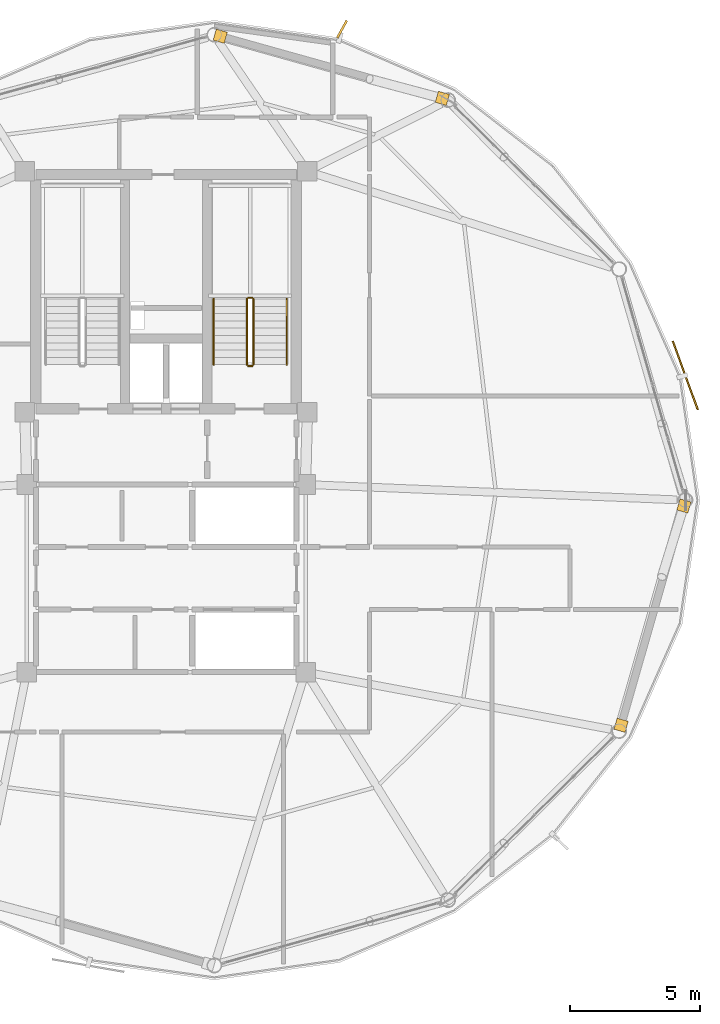
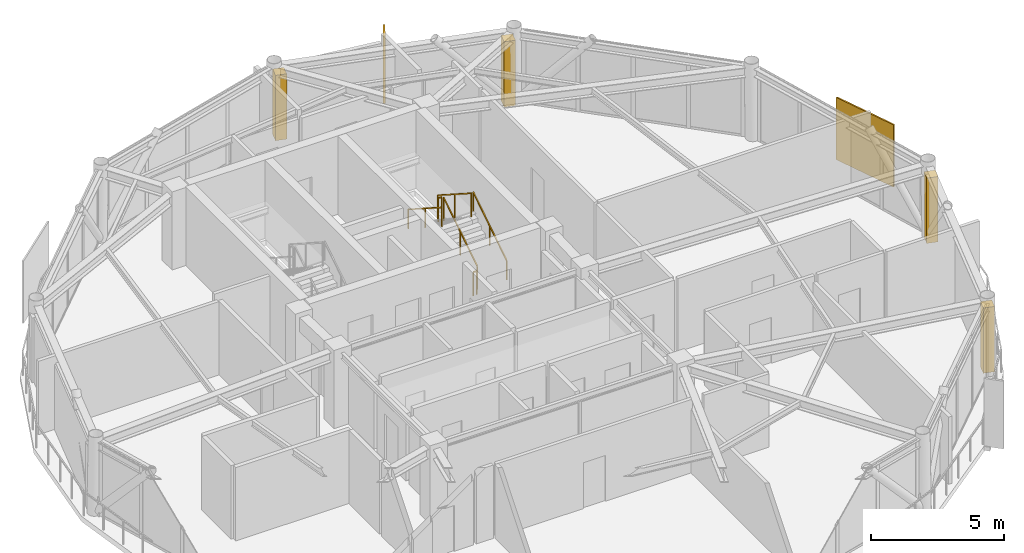
# One storey, part 26 of 26: 6 railings, 4 coverings, 2 shading devices.
"""IFC4 building model written with IfcOpenShell, lengths in metres."""

from ifc_helpers import new_model, si_unit, direction, frame, origin, origin_2d, place, context, subcontext, project, spatial, rectangle, extrude, source, transform, mapped, material, layer, layer_set, type_object, type_shapes, element, save


model = new_model("IFC4")

# Units and contexts
model_context = context("Model", 3, precision=1e-05, world=origin(), true_north=direction((0.0, 1.0)))
body_context = subcontext(model_context, "Body", "Model", "MODEL_VIEW")
ifc_project = project(units=[si_unit("LENGTHUNIT", "METRE"), si_unit("AREAUNIT", "SQUARE_METRE"), si_unit("VOLUMEUNIT", "CUBIC_METRE"), si_unit("PLANEANGLEUNIT", "RADIAN"), si_unit("MASSUNIT", "GRAM", prefix="KILO")], contexts=[model_context])

# Site, building, storey
site_placement = place(None, origin())
site = spatial("IfcSite", under=ifc_project, at=site_placement, CompositionType="ELEMENT")
building_placement = place(site_placement, origin())
building = spatial("IfcBuilding", under=site, at=building_placement, Name="Varnakorn Sky Granary", CompositionType="ELEMENT")
storey_placement = place(building_placement, frame((0.0, 0.0, 270.60009765625)))
storey = spatial("IfcBuildingStorey", under=building, at=storey_placement, Name="L69", CompositionType="ELEMENT", Elevation=270.60009765625)

# Railings
ifc_material_1 = material(Name="Brushed Stainless Steel 316", Category="steel")
railing_type_1 = type_object("IfcRailingType", Name="RL-STAIR-1100", PredefinedType="GUARDRAIL", material=ifc_material_1)
railing_1_placement = place(storey_placement, frame((6.35009765625, 5.199951171875, 0.179931640625)))
element("IfcRailing", 1, at=railing_1_placement, inside=storey, type_object=railing_type_1, Name="L69 ST-2 stair guard 1", PredefinedType="GUARDRAIL", context=body_context, shape_type="SweptSolid", body=[
    extrude(rectangle(XDim=0.048095703125, YDim=0.048095703125, at=origin_2d()), frame((0.0, 0.0, 1.076171875), z_axis=(0.0, 0.841199657755, 0.540724639528), x_axis=(-1.0, 0.0, 0.0)), (0.0, 0.0, 1.0), 2.995849609375),
    extrude(rectangle(XDim=0.0419921875, YDim=0.0419921875, at=origin_2d()), origin(), (0.0, 0.0, 1.0), 1.048095703125),
    extrude(rectangle(XDim=0.0419921875, YDim=0.0419921875, at=origin_2d()), frame((0.0, 1.260009765625, 0.81005859375)), (0.0, 0.0, 1.0), 1.048095703125),
    extrude(rectangle(XDim=0.0419921875, YDim=0.0419921875, at=origin_2d()), frame((0.0, 2.52001953125, 1.619873046875)), (0.0, 0.0, 1.0), 1.048095703125),
])
railing_2_placement = place(storey_placement, frame((6.300048828125, 7.77001953125, 1.7998046875)))
element("IfcRailing", 2, at=railing_2_placement, inside=storey, type_object=railing_type_1, Name="L69 ST-2 stair guard 2", PredefinedType="GUARDRAIL", context=body_context, shape_type="SweptSolid", body=[
    extrude(rectangle(XDim=0.048095703125, YDim=0.048095703125, at=origin_2d()), frame((0.0, 0.0, 1.076171875), z_axis=(-1.0, 0.0, 0.0), x_axis=(0.0, -1.0, 0.0)), (0.0, 0.0, 1.0), 0.150146484375),
    extrude(rectangle(XDim=0.0419921875, YDim=0.0419921875, at=origin_2d()), origin(), (0.0, 0.0, 1.0), 1.048095703125),
    extrude(rectangle(XDim=0.0419921875, YDim=0.0419921875, at=origin_2d()), frame((-0.150146484375, 0.0, 0.0)), (0.0, 0.0, 1.0), 1.048095703125),
])
railing_3_placement = place(storey_placement, frame((6.10009765625, 7.719970703125, 1.97998046875)))
element("IfcRailing", 3, at=railing_3_placement, inside=storey, type_object=railing_type_1, Name="L69 ST-2 stair guard 3", PredefinedType="GUARDRAIL", context=body_context, shape_type="SweptSolid", body=[
    extrude(rectangle(XDim=0.048095703125, YDim=0.048095703125, at=origin_2d()), frame((0.0, 0.0, 1.076171875), z_axis=(0.0, -0.841199657755, 0.540724639528), x_axis=(1.0, 0.0, 0.0)), (0.0, 0.0, 1.0), 2.995849609375),
    extrude(rectangle(XDim=0.0419921875, YDim=0.0419921875, at=origin_2d()), origin(), (0.0, 0.0, 1.0), 1.048095703125),
    extrude(rectangle(XDim=0.0419921875, YDim=0.0419921875, at=origin_2d()), frame((0.0, -1.260009765625, 0.81005859375)), (0.0, 0.0, 1.0), 1.048095703125),
    extrude(rectangle(XDim=0.0419921875, YDim=0.0419921875, at=origin_2d()), frame((0.0, -2.52001953125, 1.619873046875)), (0.0, 0.0, 1.0), 1.048095703125),
])
railing_4_placement = place(storey_placement, frame((6.300048828125, 5.14990234375, 0.0)))
element("IfcRailing", 4, at=railing_4_placement, inside=storey, type_object=railing_type_1, Name="L69 ST-2 stair guard 4", PredefinedType="GUARDRAIL", context=body_context, shape_type="SweptSolid", body=[
    extrude(rectangle(XDim=0.048095703125, YDim=0.048095703125, at=origin_2d()), frame((0.0, 0.0, 1.076171875), z_axis=(-1.0, 0.0, 0.0), x_axis=(0.0, -1.0, 0.0)), (0.0, 0.0, 1.0), 0.150146484375),
    extrude(rectangle(XDim=0.0419921875, YDim=0.0419921875, at=origin_2d()), origin(), (0.0, 0.0, 1.0), 1.048095703125),
    extrude(rectangle(XDim=0.0419921875, YDim=0.0419921875, at=origin_2d()), frame((-0.150146484375, 0.0, 0.0)), (0.0, 0.0, 1.0), 1.048095703125),
])
railing_type_2 = type_object("IfcRailingType", Name="RL-STAIR-920", PredefinedType="HANDRAIL", material=ifc_material_1)
railing_5_placement = place(storey_placement, frame((7.6298828125, 5.199951171875, 0.179931640625)))
element("IfcRailing", 5, at=railing_5_placement, inside=storey, type_object=railing_type_2, Name="L69 ST-2 stair handrail 1", PredefinedType="HANDRAIL", context=body_context, shape_type="SweptSolid", body=[
    extrude(rectangle(XDim=0.048095703125, YDim=0.048095703125, at=origin_2d()), frame((0.0, 0.0, 0.8759765625), z_axis=(0.0, 0.841199657755, 0.540724639528), x_axis=(-1.0, 0.0, 0.0)), (0.0, 0.0, 1.0), 2.995849609375),
    extrude(rectangle(XDim=0.0419921875, YDim=0.0419921875, at=origin_2d()), origin(), (0.0, 0.0, 1.0), 0.847900390625),
    extrude(rectangle(XDim=0.0419921875, YDim=0.0419921875, at=origin_2d()), frame((0.0, 1.260009765625, 0.81005859375)), (0.0, 0.0, 1.0), 0.847900390625),
    extrude(rectangle(XDim=0.0419921875, YDim=0.0419921875, at=origin_2d()), frame((0.0, 2.52001953125, 1.619873046875)), (0.0, 0.0, 1.0), 0.847900390625),
])
railing_6_placement = place(storey_placement, frame((4.820068359375, 7.719970703125, 1.97998046875)))
element("IfcRailing", 6, at=railing_6_placement, inside=storey, type_object=railing_type_2, Name="L69 ST-2 stair handrail 2", PredefinedType="HANDRAIL", context=body_context, shape_type="SweptSolid", body=[
    extrude(rectangle(XDim=0.048095703125, YDim=0.048095703125, at=origin_2d()), frame((0.0, 0.0, 0.8759765625), z_axis=(0.0, -0.841199657755, 0.540724639528), x_axis=(1.0, 0.0, 0.0)), (0.0, 0.0, 1.0), 2.995849609375),
    extrude(rectangle(XDim=0.0419921875, YDim=0.0419921875, at=origin_2d()), origin(), (0.0, 0.0, 1.0), 0.847900390625),
    extrude(rectangle(XDim=0.0419921875, YDim=0.0419921875, at=origin_2d()), frame((0.0, -1.260009765625, 0.81005859375)), (0.0, 0.0, 1.0), 0.847900390625),
    extrude(rectangle(XDim=0.0419921875, YDim=0.0419921875, at=origin_2d()), frame((0.0, -2.52001953125, 1.619873046875)), (0.0, 0.0, 1.0), 0.847900390625),
])

# Coverings
ifc_material_2 = material(Name="Anodised Bronze Aluminium Alloy 6063-T6", Category="aluminium")
ifc_layer = layer(ifc_material_2, 0.050048828125, Name="Anodised Bronze Aluminium Alloy 6063-T6")
ifc_layer_set = layer_set([ifc_layer], Name="Anodised Bronze Aluminium Alloy 6063-T6")
covering_type = type_object("IfcCoveringType", Name="CV-CLAD-50", PredefinedType="CLADDING", material=ifc_layer_set)
shared_shape_1 = source(origin(), body_context, "Body", "SweptSolid", [
    extrude(rectangle(XDim=0.43994140625, YDim=0.43994140625, at=origin_2d()), origin(), (0.0, 0.0, 1.0), 2.989990234375),
])
type_shapes(covering_type, [shared_shape_1])
for number, where, z_axis, x_axis, name in (
    (7, (5.07568359375, 17.805908203125, -0.02001953125), (0.0, 0.0, 1.0), (0.963021628687, -0.26942409447, 0.0), "Bronze Corner Pilaster Closure L69-P03-A"),
    (8, (13.601318359375, 15.42138671875, -0.02001953125), (0.0, 0.0, 1.0), (0.963021628687, -0.26942409447, 0.0), "Bronze Corner Pilaster Closure L69-P03-B"),
    (9, (22.87451171875, -0.225341796875, -0.02001953125), (0.0, 0.0, 1.0), (-0.275469579804, -0.961309789091, 0.0), "Bronze Corner Pilaster Closure L69-P12-A"),
    (10, (20.463134765625, -8.6416015625, -0.02001953125), (0.0, 0.0, 1.0), (-0.275469579804, -0.961309789091, 0.0), "Bronze Corner Pilaster Closure L69-P12-B"),
):
    element("IfcCovering", number, at=place(storey_placement, frame(where, z_axis=z_axis, x_axis=x_axis)), inside=storey, type_object=covering_type, Name=name, PredefinedType="CLADDING", context=body_context, shape_type="MappedRepresentation", body=[
        mapped(shared_shape_1, transform((0.0, 0.0, 0.0), x_axis=(1.0, 0.0, 0.0), y_axis=(0.0, 1.0, 0.0), z_axis=(0.0, 0.0, 1.0), scale=1.0)),
    ])

# Shading devices
shading_device_type_1 = type_object("IfcShadingDeviceType", Name="SH-FIN-03", PredefinedType="USERDEFINED", material=ifc_material_2)
shared_shape_2 = source(origin(), body_context, "Body", "SweptSolid", [
    extrude(rectangle(XDim=0.0849609375, YDim=0.760009765625, at=origin_2d()), origin(), (0.0, 0.0, 1.0), 3.10009765625),
])
type_shapes(shading_device_type_1, [shared_shape_2])
shading_device_1_placement = place(storey_placement, frame((9.751708984375, 18.075927734375, -0.0400390625), z_axis=(0.0, 0.0, 1.0), x_axis=(-0.874785193712, 0.484510954327, 0.0)))
element("IfcShadingDevice", 11, at=shading_device_1_placement, inside=storey, type_object=shading_device_type_1, Name="Bronze Solar-Tracking Vertical Blade FIN L69-03", ObjectType="FIN", PredefinedType="USERDEFINED", context=body_context, shape_type="MappedRepresentation", body=[
    mapped(shared_shape_2, transform((0.0, 0.0, 0.0), x_axis=(1.0, 0.0, 0.0), y_axis=(0.0, 1.0, 0.0), z_axis=(0.0, 0.0, 1.0), scale=1.0)),
])
shading_device_type_2 = type_object("IfcShadingDeviceType", Name="SH-SCR-03", PredefinedType="USERDEFINED", material=ifc_material_2)
shared_shape_3 = source(origin(), body_context, "Body", "SweptSolid", [
    extrude(rectangle(XDim=2.800048828125, YDim=0.06494140625, at=origin_2d()), origin(), (0.0, 0.0, 1.0), 2.85009765625),
])
type_shapes(shading_device_type_2, [shared_shape_3])
shading_device_2_placement = place(storey_placement, frame((22.926513671875, 4.785888671875, -0.0400390625), z_axis=(0.0, 0.0, 1.0), x_axis=(-0.343321182396, 0.939218060792, 0.0)))
element("IfcShadingDevice", 12, at=shading_device_2_placement, inside=storey, type_object=shading_device_type_2, Name="Perforated Bronze Solar Screen Panel SCREEN L69-01", ObjectType="SCREEN", PredefinedType="USERDEFINED", context=body_context, shape_type="MappedRepresentation", body=[
    mapped(shared_shape_3, transform((0.0, 0.0, 0.0), x_axis=(1.0, 0.0, 0.0), y_axis=(0.0, 1.0, 0.0), z_axis=(0.0, 0.0, 1.0), scale=1.0)),
])

save(model, "model.ifc")
